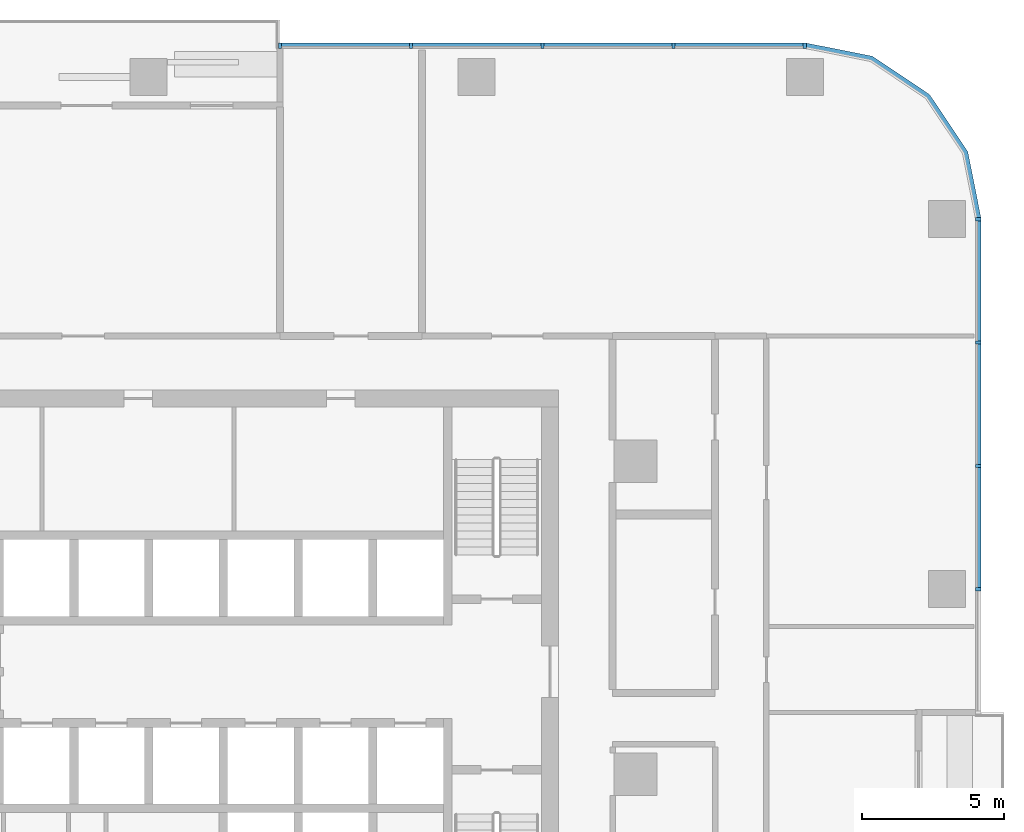
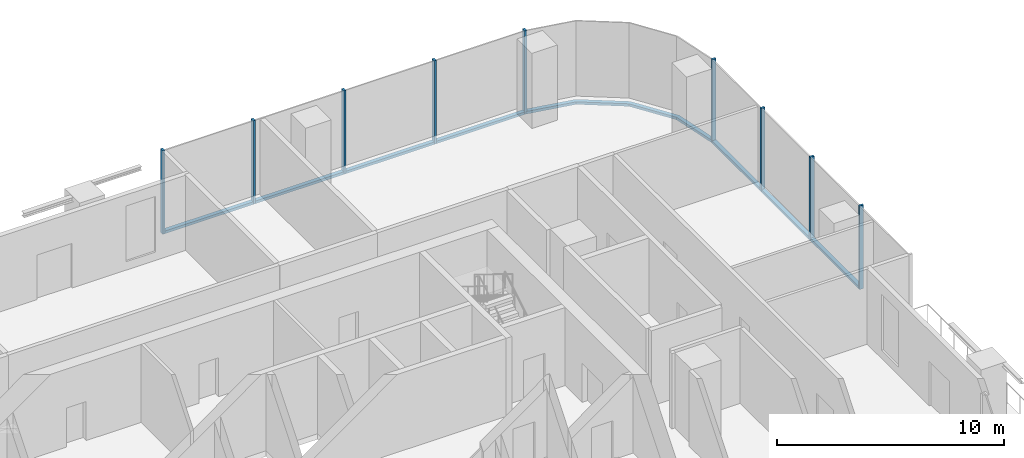
# One storey, part 5 of 14: 17 members, 3 elements without a shape of their own.
"""IFC4 building model written with IfcOpenShell, lengths in metres."""

from ifc_helpers import new_model, si_unit, direction, frame, origin, origin_2d, place, context, subcontext, project, spatial, polyline, rectangle, outline, extrude, material, material_profile, profile_set, type_object, element, aggregate, save


model = new_model("IFC4")

# Units and contexts
model_context = context("Model", 3, precision=1e-05, world=origin(), true_north=direction((0.0, 1.0)))
body_context = subcontext(model_context, "Body", "Model", "MODEL_VIEW")
ifc_project = project(units=[si_unit("LENGTHUNIT", "METRE"), si_unit("AREAUNIT", "SQUARE_METRE"), si_unit("VOLUMEUNIT", "CUBIC_METRE"), si_unit("PLANEANGLEUNIT", "RADIAN"), si_unit("MASSUNIT", "GRAM", prefix="KILO")], contexts=[model_context])

# Site, building, storey
site_placement = place(None, origin())
site = spatial("IfcSite", under=ifc_project, at=site_placement, CompositionType="ELEMENT")
building_placement = place(site_placement, origin())
building = spatial("IfcBuilding", under=site, at=building_placement, Name="Mopane Tessera Tower", CompositionType="ELEMENT")
storey_placement = place(building_placement, frame((0.0, 0.0, 139.60009765625)))
storey = spatial("IfcBuildingStorey", under=building, at=storey_placement, Name="L28", CompositionType="ELEMENT", Elevation=139.60009765625)

# Curtain wall, members
ifc_material_1 = material(Name="Aluminium frame", Category="aluminium")
curtain_wall_type = type_object("IfcCurtainWallType", Name="Lower tower unitised wall", PredefinedType="NOTDEFINED", material=ifc_material_1)
curtain_wall_1_placement = place(storey_placement, origin())
curtain_wall_1 = element("IfcCurtainWall", 1, at=curtain_wall_1_placement, inside=storey, type_object=curtain_wall_type, Name="e:cw:L28:E:5", PredefinedType="NOTDEFINED")
ifc_material_2 = material(Name="Aluminium frame", Category="aluminium")
ifc_material_profile_1 = material_profile(ifc_material_2, rectangle(XDim=0.110107421875, YDim=0.199951171875, at=origin_2d()))
ifc_profile_set_1 = profile_set([ifc_material_profile_1], Name="Aluminium frame")
member_type_1 = type_object("IfcMemberType", Name="Aluminium mullion 110 x 200", PredefinedType="MULLION", material=ifc_profile_set_1)
member_1_placement = place(storey_placement, frame((29.14990234375, 6.5, -0.4501953125), z_axis=(0.0, 0.0, 1.0), x_axis=(0.0, 1.0, 0.0)))
member_1 = element("IfcMember", 2, at=member_1_placement, type_object=member_type_1, Name="e:cw:L28:E:5:mu6", PredefinedType="MULLION", context=body_context, shape_type="SweptSolid", body=[
    extrude(rectangle(XDim=0.110107421875, YDim=0.199951171875, at=origin_2d()), origin(), (0.0, 0.0, 1.0), 4.5),
])
member_2_placement = place(storey_placement, frame((29.14990234375, 10.833251953125, -0.4501953125), z_axis=(0.0, 0.0, 1.0), x_axis=(0.0, 1.0, 0.0)))
member_2 = element("IfcMember", 3, at=member_2_placement, type_object=member_type_1, Name="e:cw:L28:E:5:mu7", PredefinedType="MULLION", context=body_context, shape_type="SweptSolid", body=[
    extrude(rectangle(XDim=0.110107421875, YDim=0.199951171875, at=origin_2d()), origin(), (0.0, 0.0, 1.0), 4.5),
])
member_3_placement = place(storey_placement, frame((29.14990234375, 15.166748046875, -0.4501953125), z_axis=(0.0, 0.0, 1.0), x_axis=(0.0, 1.0, 0.0)))
member_3 = element("IfcMember", 4, at=member_3_placement, type_object=member_type_1, Name="e:cw:L28:E:5:mu8", PredefinedType="MULLION", context=body_context, shape_type="SweptSolid", body=[
    extrude(rectangle(XDim=0.110107421875, YDim=0.199951171875, at=origin_2d()), origin(), (0.0, 0.0, 1.0), 4.5),
])
member_4_placement = place(storey_placement, frame((29.14990234375, 19.5, -0.4501953125), z_axis=(0.0, 0.0, 1.0), x_axis=(0.0, 1.0, 0.0)))
member_4 = element("IfcMember", 5, at=member_4_placement, type_object=member_type_1, Name="e:cw:L28:E:5:mu9", PredefinedType="MULLION", context=body_context, shape_type="SweptSolid", body=[
    extrude(rectangle(XDim=0.110107421875, YDim=0.199951171875, at=origin_2d()), origin(), (0.0, 0.0, 1.0), 4.5),
])

curtain_wall_2_placement = place(storey_placement, origin())
curtain_wall_2 = element("IfcCurtainWall", 6, at=curtain_wall_2_placement, inside=storey, type_object=curtain_wall_type, Name="e:cw:L28:N:0", PredefinedType="NOTDEFINED")
member_5_placement = place(storey_placement, frame((23.050048828125, 25.60009765625, -0.4501953125), z_axis=(0.0, 0.0, 1.0), x_axis=(-1.0, 0.0, 0.0)))
member_5 = element("IfcMember", 7, at=member_5_placement, type_object=member_type_1, Name="e:cw:L28:N:0:mu0", PredefinedType="MULLION", context=body_context, shape_type="SweptSolid", body=[
    extrude(rectangle(XDim=0.110107421875, YDim=0.199951171875, at=origin_2d()), origin(), (0.0, 0.0, 1.0), 4.5),
])
member_6_placement = place(storey_placement, frame((18.43994140625, 25.60009765625, -0.4501953125), z_axis=(0.0, 0.0, 1.0), x_axis=(-1.0, 0.0, 0.0)))
member_6 = element("IfcMember", 8, at=member_6_placement, type_object=member_type_1, Name="e:cw:L28:N:0:mu1", PredefinedType="MULLION", context=body_context, shape_type="SweptSolid", body=[
    extrude(rectangle(XDim=0.110107421875, YDim=0.199951171875, at=origin_2d()), origin(), (0.0, 0.0, 1.0), 4.5),
])
member_7_placement = place(storey_placement, frame((13.830078125, 25.60009765625, -0.4501953125), z_axis=(0.0, 0.0, 1.0), x_axis=(-1.0, 0.0, 0.0)))
member_7 = element("IfcMember", 9, at=member_7_placement, type_object=member_type_1, Name="e:cw:L28:N:0:mu2", PredefinedType="MULLION", context=body_context, shape_type="SweptSolid", body=[
    extrude(rectangle(XDim=0.110107421875, YDim=0.199951171875, at=origin_2d()), origin(), (0.0, 0.0, 1.0), 4.5),
])
member_8_placement = place(storey_placement, frame((9.219970703125, 25.60009765625, -0.4501953125), z_axis=(0.0, 0.0, 1.0), x_axis=(-1.0, 0.0, 0.0)))
member_8 = element("IfcMember", 10, at=member_8_placement, type_object=member_type_1, Name="e:cw:L28:N:0:mu3", PredefinedType="MULLION", context=body_context, shape_type="SweptSolid", body=[
    extrude(rectangle(XDim=0.110107421875, YDim=0.199951171875, at=origin_2d()), origin(), (0.0, 0.0, 1.0), 4.5),
])
member_9_placement = place(storey_placement, frame((4.610107421875, 25.60009765625, -0.4501953125), z_axis=(0.0, 0.0, 1.0), x_axis=(-1.0, 0.0, 0.0)))
member_9 = element("IfcMember", 11, at=member_9_placement, type_object=member_type_1, Name="e:cw:L28:N:0:mu4", PredefinedType="MULLION", context=body_context, shape_type="SweptSolid", body=[
    extrude(rectangle(XDim=0.110107421875, YDim=0.199951171875, at=origin_2d()), origin(), (0.0, 0.0, 1.0), 4.5),
])

# Member
ifc_material_3 = material(Name="Aluminium frame", Category="aluminium")
ifc_material_profile_2 = material_profile(ifc_material_3, rectangle(XDim=0.199951171875, YDim=0.139892578125, at=origin_2d()))
ifc_profile_set_2 = profile_set([ifc_material_profile_2], Name="Aluminium frame")
member_type_2 = type_object("IfcMemberType", Name="Aluminium transom 200 x 140", PredefinedType="USERDEFINED", material=ifc_profile_set_2)
member_10_placement = place(storey_placement, frame((29.14990234375, 6.554931640625, -0.380126953125), z_axis=(0.0, 1.0, 0.0), x_axis=(-1.0, 0.0, 0.0)))
member_10 = element("IfcMember", 12, at=member_10_placement, type_object=member_type_2, Name="e:cw:L28:E:5:tr6", ObjectType="TRANSOM", PredefinedType="USERDEFINED", context=body_context, shape_type="SweptSolid", body=[
    extrude(rectangle(XDim=0.199951171875, YDim=0.139892578125, at=origin_2d()), origin(), (0.0, 0.0, 1.0), 4.223388671875),
])

member_11_placement = place(storey_placement, frame((29.14990234375, 10.888427734375, -0.380126953125), z_axis=(0.0, 1.0, 0.0), x_axis=(-1.0, 0.0, 0.0)))
member_11 = element("IfcMember", 13, at=member_11_placement, type_object=member_type_2, Name="e:cw:L28:E:5:tr7", ObjectType="TRANSOM", PredefinedType="USERDEFINED", context=body_context, shape_type="SweptSolid", body=[
    extrude(rectangle(XDim=0.199951171875, YDim=0.139892578125, at=origin_2d()), origin(), (0.0, 0.0, 1.0), 4.22314453125),
])

member_12_placement = place(storey_placement, frame((29.14990234375, 15.2216796875, -0.380126953125), z_axis=(0.0, 1.0, 0.0), x_axis=(-1.0, 0.0, 0.0)))
member_12 = element("IfcMember", 14, at=member_12_placement, type_object=member_type_2, Name="e:cw:L28:E:5:tr8", ObjectType="TRANSOM", PredefinedType="USERDEFINED", context=body_context, shape_type="SweptSolid", body=[
    extrude(rectangle(XDim=0.199951171875, YDim=0.139892578125, at=origin_2d()), origin(), (0.0, 0.0, 1.0), 4.223388671875),
])

aggregate(curtain_wall_1, [member_1, member_2, member_3, member_4, member_10, member_11, member_12])

# Curtain wall, member
curtain_wall_3_placement = place(storey_placement, origin())
curtain_wall_3 = element("IfcCurtainWall", 15, at=curtain_wall_3_placement, inside=storey, type_object=curtain_wall_type, Name="e:cw:L28:CE", PredefinedType="NOTDEFINED")
member_13_placement = place(storey_placement, frame((0.0, 0.0, -0.4501953125)))
member_13 = element("IfcMember", 16, at=member_13_placement, type_object=member_type_2, Name="e:cw:L28:CE:tr", ObjectType="TRANSOM", PredefinedType="USERDEFINED", context=body_context, shape_type="SweptSolid", body=[
    extrude(outline(polyline([(29.050048828125, 19.5), (28.59326171875, 21.796142578125), (27.292724609375, 23.74267578125), (25.34619140625, 25.043212890625), (23.050048828125, 25.5), (23.050048828125, 25.699951171875), (25.422607421875, 25.22802734375), (27.43408203125, 23.884033203125), (28.778076171875, 21.87255859375), (29.25, 19.5), (29.050048828125, 19.5)])), origin(), (0.0, 0.0, 1.0), 0.14013671875),
])
aggregate(curtain_wall_3, [member_13])

# Member
member_14_placement = place(storey_placement, frame((22.9951171875, 25.60009765625, -0.380126953125), z_axis=(-1.0, 0.0, 0.0), x_axis=(0.0, -1.0, 0.0)))
member_14 = element("IfcMember", 17, at=member_14_placement, type_object=member_type_2, Name="e:cw:L28:N:0:tr0", ObjectType="TRANSOM", PredefinedType="USERDEFINED", context=body_context, shape_type="SweptSolid", body=[
    extrude(rectangle(XDim=0.199951171875, YDim=0.139892578125, at=origin_2d()), origin(), (0.0, 0.0, 1.0), 4.5),
])

member_15_placement = place(storey_placement, frame((18.385009765625, 25.60009765625, -0.380126953125), z_axis=(-1.0, 0.0, 0.0), x_axis=(0.0, -1.0, 0.0)))
member_15 = element("IfcMember", 18, at=member_15_placement, type_object=member_type_2, Name="e:cw:L28:N:0:tr1", ObjectType="TRANSOM", PredefinedType="USERDEFINED", context=body_context, shape_type="SweptSolid", body=[
    extrude(rectangle(XDim=0.199951171875, YDim=0.139892578125, at=origin_2d()), origin(), (0.0, 0.0, 1.0), 4.5),
])

member_16_placement = place(storey_placement, frame((13.77490234375, 25.60009765625, -0.380126953125), z_axis=(-1.0, 0.0, 0.0), x_axis=(0.0, -1.0, 0.0)))
member_16 = element("IfcMember", 19, at=member_16_placement, type_object=member_type_2, Name="e:cw:L28:N:0:tr2", ObjectType="TRANSOM", PredefinedType="USERDEFINED", context=body_context, shape_type="SweptSolid", body=[
    extrude(rectangle(XDim=0.199951171875, YDim=0.139892578125, at=origin_2d()), origin(), (0.0, 0.0, 1.0), 4.5),
])

member_17_placement = place(storey_placement, frame((9.1650390625, 25.60009765625, -0.380126953125), z_axis=(-1.0, 0.0, 0.0), x_axis=(0.0, -1.0, 0.0)))
member_17 = element("IfcMember", 20, at=member_17_placement, type_object=member_type_2, Name="e:cw:L28:N:0:tr3", ObjectType="TRANSOM", PredefinedType="USERDEFINED", context=body_context, shape_type="SweptSolid", body=[
    extrude(rectangle(XDim=0.199951171875, YDim=0.139892578125, at=origin_2d()), origin(), (0.0, 0.0, 1.0), 4.5),
])

aggregate(curtain_wall_2, [member_5, member_6, member_7, member_8, member_9, member_14, member_15, member_16, member_17])

save(model, "model.ifc")
